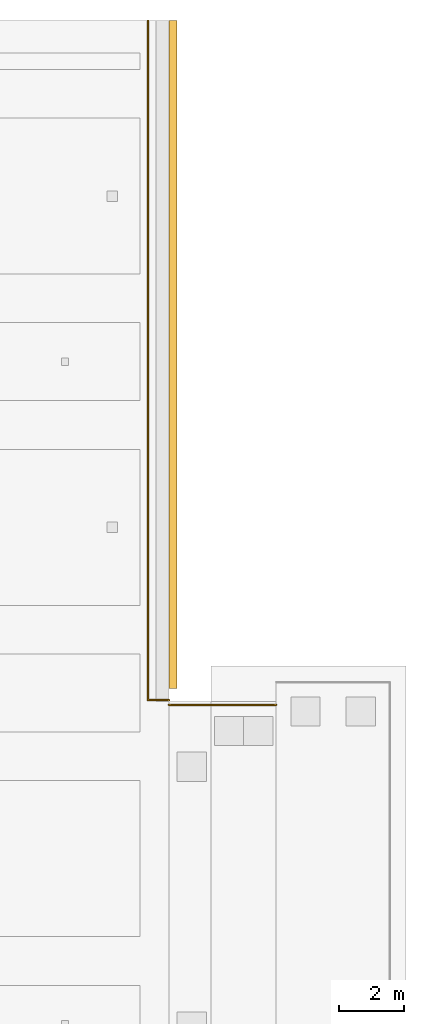
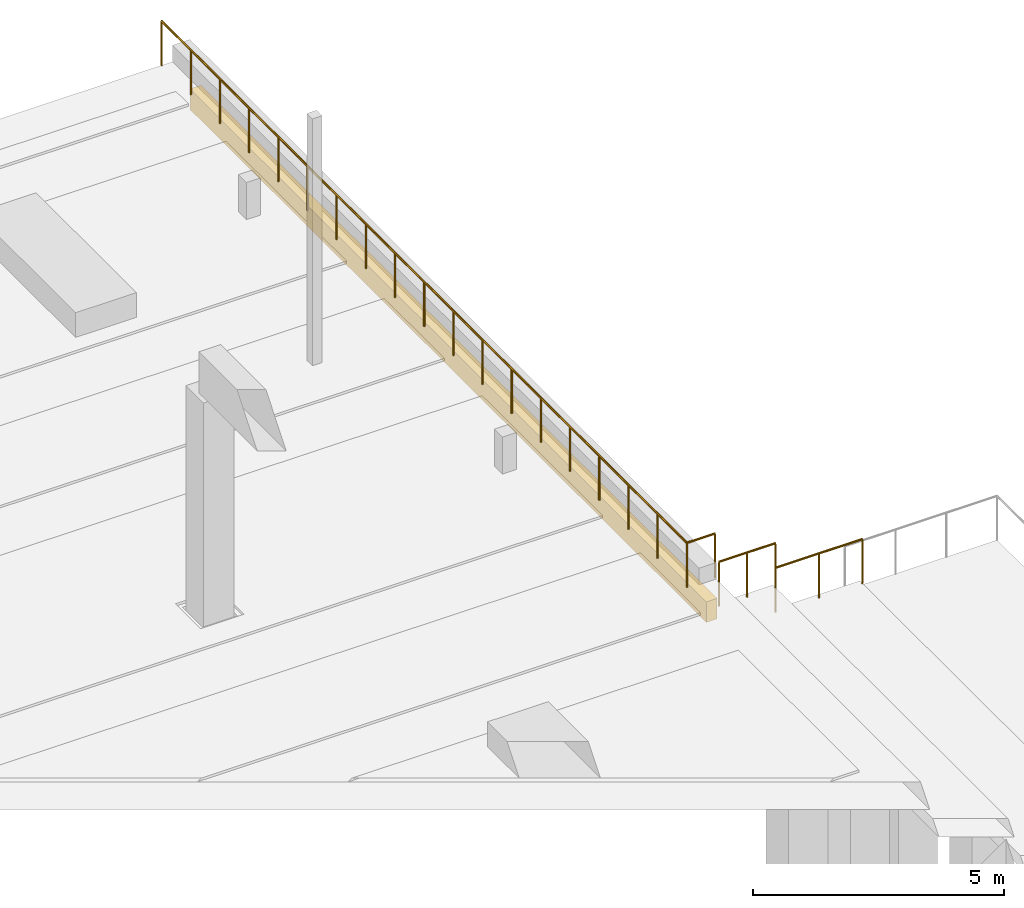
# One storey, part 40 of 41: 3 railings, 1 covering.
"""IFC4 building model written with IfcOpenShell, lengths in metres."""

from ifc_helpers import new_model, si_unit, direction, frame, origin, origin_2d, place, context, subcontext, project, spatial, polyline, circle, outline, extrude, material, layer, layer_set, type_object, element, save


model = new_model("IFC4")

# Units and contexts
model_context = context("Model", 3, precision=1e-05, world=origin(), true_north=direction((0.0, 1.0)))
body_context = subcontext(model_context, "Body", "Model", "MODEL_VIEW")
ifc_project = project(units=[si_unit("LENGTHUNIT", "METRE"), si_unit("AREAUNIT", "SQUARE_METRE"), si_unit("VOLUMEUNIT", "CUBIC_METRE"), si_unit("PLANEANGLEUNIT", "RADIAN"), si_unit("MASSUNIT", "GRAM", prefix="KILO")], contexts=[model_context])

# Site, building, storey
site_placement = place(None, origin())
site = spatial("IfcSite", under=ifc_project, at=site_placement, CompositionType="ELEMENT")
building_placement = place(site_placement, origin())
building = spatial("IfcBuilding", under=site, at=building_placement, Name="Tamra Quay Hotel Tower", CompositionType="ELEMENT")
storey_placement = place(building_placement, origin())
storey = spatial("IfcBuildingStorey", under=building, at=storey_placement, Name="L00", CompositionType="ELEMENT", Elevation=0.0)

# Railings
ifc_material_1 = material(Name="Stainless steel balustrade", Category="steel")
railing_type = type_object("IfcRailingType", Name="QUAY EDGE GUARD 1100", PredefinedType="GUARDRAIL", material=ifc_material_1)
railing_1_placement = place(storey_placement, frame((46.199951171875, 59.98291015625, 0.0)))
element("IfcRailing", 1, at=railing_1_placement, inside=storey, type_object=railing_type, Name="GR3", PredefinedType="GUARDRAIL", context=body_context, shape_type="SweptSolid", body=[
    extrude(circle(Radius=0.02392578125, at=origin_2d()), frame((0.0, 0.0, 1.076171875), z_axis=(-1.0, 0.0, 0.0), x_axis=(0.0, -1.0, 0.0)), (0.0, 0.0, 1.0), 0.64990234375),
    extrude(circle(Radius=0.02392578125, at=origin_2d()), frame((-0.64990234375, 0.0, 1.076171875), z_axis=(0.0, 1.0, 0.0), x_axis=(-1.0, 0.0, 0.0)), (0.0, 0.0, 1.0), 20.9169921875),
    extrude(circle(Radius=0.02099609375, at=origin_2d()), origin(), (0.0, 0.0, 1.0), 1.052001953125),
    extrude(circle(Radius=0.02099609375, at=origin_2d()), frame((-0.64990234375, 0.0, 0.0)), (0.0, 0.0, 1.0), 1.052001953125),
    extrude(circle(Radius=0.02099609375, at=origin_2d()), frame((-0.64990234375, 1.162109375, 0.0)), (0.0, 0.0, 1.0), 1.052001953125),
    extrude(circle(Radius=0.02099609375, at=origin_2d()), frame((-0.64990234375, 2.32421875, 0.0)), (0.0, 0.0, 1.0), 1.052001953125),
    extrude(circle(Radius=0.02099609375, at=origin_2d()), frame((-0.64990234375, 3.486083984375, 0.0)), (0.0, 0.0, 1.0), 1.052001953125),
    extrude(circle(Radius=0.02099609375, at=origin_2d()), frame((-0.64990234375, 4.648193359375, 0.0)), (0.0, 0.0, 1.0), 1.052001953125),
    extrude(circle(Radius=0.02099609375, at=origin_2d()), frame((-0.64990234375, 5.810302734375, 0.0)), (0.0, 0.0, 1.0), 1.052001953125),
    extrude(circle(Radius=0.02099609375, at=origin_2d()), frame((-0.64990234375, 6.972412109375, 0.0)), (0.0, 0.0, 1.0), 1.052001953125),
    extrude(circle(Radius=0.02099609375, at=origin_2d()), frame((-0.64990234375, 8.13427734375, 0.0)), (0.0, 0.0, 1.0), 1.052001953125),
    extrude(circle(Radius=0.02099609375, at=origin_2d()), frame((-0.64990234375, 9.29638671875, 0.0)), (0.0, 0.0, 1.0), 1.052001953125),
    extrude(circle(Radius=0.02099609375, at=origin_2d()), frame((-0.64990234375, 10.45849609375, 0.0)), (0.0, 0.0, 1.0), 1.052001953125),
    extrude(circle(Radius=0.02099609375, at=origin_2d()), frame((-0.64990234375, 11.62060546875, 0.0)), (0.0, 0.0, 1.0), 1.052001953125),
    extrude(circle(Radius=0.02099609375, at=origin_2d()), frame((-0.64990234375, 12.78271484375, 0.0)), (0.0, 0.0, 1.0), 1.052001953125),
    extrude(circle(Radius=0.02099609375, at=origin_2d()), frame((-0.64990234375, 13.944580078125, 0.0)), (0.0, 0.0, 1.0), 1.052001953125),
    extrude(circle(Radius=0.02099609375, at=origin_2d()), frame((-0.64990234375, 15.106689453125, 0.0)), (0.0, 0.0, 1.0), 1.052001953125),
    extrude(circle(Radius=0.02099609375, at=origin_2d()), frame((-0.64990234375, 16.268798828125, 0.0)), (0.0, 0.0, 1.0), 1.052001953125),
    extrude(circle(Radius=0.02099609375, at=origin_2d()), frame((-0.64990234375, 17.430908203125, 0.0)), (0.0, 0.0, 1.0), 1.052001953125),
    extrude(circle(Radius=0.02099609375, at=origin_2d()), frame((-0.64990234375, 18.5927734375, 0.0)), (0.0, 0.0, 1.0), 1.052001953125),
    extrude(circle(Radius=0.02099609375, at=origin_2d()), frame((-0.64990234375, 19.7548828125, 0.0)), (0.0, 0.0, 1.0), 1.052001953125),
    extrude(circle(Radius=0.02099609375, at=origin_2d()), frame((-0.64990234375, 20.9169921875, 0.0)), (0.0, 0.0, 1.0), 1.052001953125),
])
railing_2_placement = place(storey_placement, frame((46.199951171875, 59.8330078125, -0.60009765625)))
element("IfcRailing", 2, at=railing_2_placement, inside=storey, type_object=railing_type, Name="GR3", PredefinedType="GUARDRAIL", context=body_context, shape_type="SweptSolid", body=[
    extrude(circle(Radius=0.02392578125, at=origin_2d()), frame((0.0, 0.0, 1.076171875), z_axis=(1.0, 0.0, 0.0), x_axis=(0.0, 1.0, 0.0)), (0.0, 0.0, 1.0), 1.300048828125),
    extrude(circle(Radius=0.02099609375, at=origin_2d()), origin(), (0.0, 0.0, 1.0), 1.052001953125),
    extrude(circle(Radius=0.02099609375, at=origin_2d()), frame((0.64990234375, 0.0, 0.0)), (0.0, 0.0, 1.0), 1.052001953125),
    extrude(circle(Radius=0.02099609375, at=origin_2d()), frame((1.300048828125, 0.0, 0.0)), (0.0, 0.0, 1.0), 1.052001953125),
])
railing_3_placement = place(storey_placement, frame((47.5, 59.8330078125, -1.199951171875)))
element("IfcRailing", 3, at=railing_3_placement, inside=storey, type_object=railing_type, Name="GR3", PredefinedType="GUARDRAIL", context=body_context, shape_type="SweptSolid", body=[
    extrude(circle(Radius=0.02392578125, at=origin_2d()), frame((0.0, 0.0, 1.076171875), z_axis=(1.0, 0.0, 0.0), x_axis=(0.0, 1.0, 0.0)), (0.0, 0.0, 1.0), 2.0),
    extrude(circle(Radius=0.02099609375, at=origin_2d()), origin(), (0.0, 0.0, 1.0), 1.052001953125),
    extrude(circle(Radius=0.02099609375, at=origin_2d()), frame((1.0, 0.0, 0.0)), (0.0, 0.0, 1.0), 1.052001953125),
    extrude(circle(Radius=0.02099609375, at=origin_2d()), frame((2.0, 0.0, 0.0)), (0.0, 0.0, 1.0), 1.052001953125),
])

# Covering
ifc_material_2 = material(Name="Hardwood timber fender rail", Category="wood")
ifc_layer = layer(ifc_material_2, 0.25)
ifc_layer_set = layer_set([ifc_layer], Name="QUAY FENDER RAIL 250X500")
covering_type = type_object("IfcCoveringType", Name="QUAY FENDER RAIL 250X500", PredefinedType="MOLDING", material=ifc_layer_set)
covering_placement = place(storey_placement, frame((0.0, 0.0, -1.300048828125)))
element("IfcCovering", 4, at=covering_placement, inside=storey, type_object=covering_type, Name="Quay fender rail", PredefinedType="MOLDING", context=body_context, shape_type="SweptSolid", body=[
    extrude(outline(polyline([(46.199951171875, 60.3330078125), (46.449951171875, 60.3330078125), (46.449951171875, 80.89990234375), (46.199951171875, 80.89990234375), (46.199951171875, 60.3330078125)])), origin(), (0.0, 0.0, 1.0), 0.5),
])

save(model, "model.ifc")
